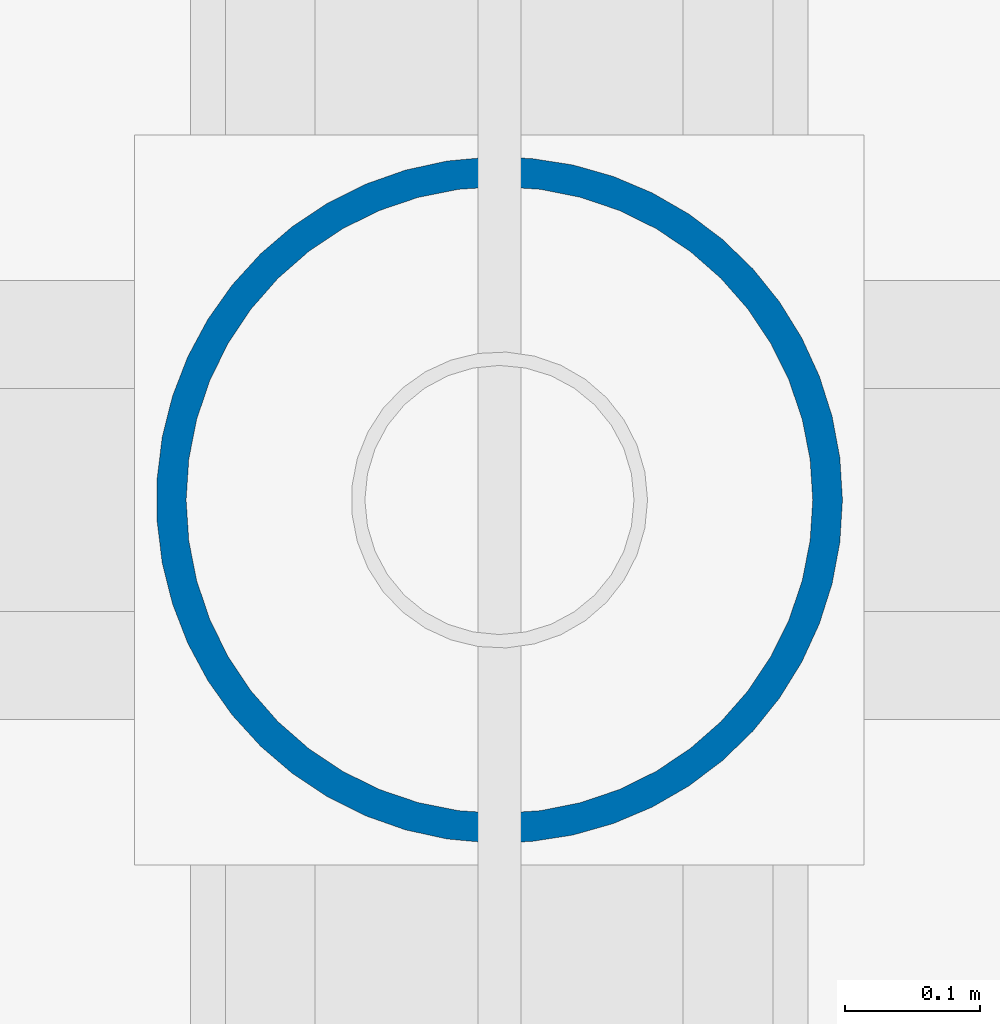
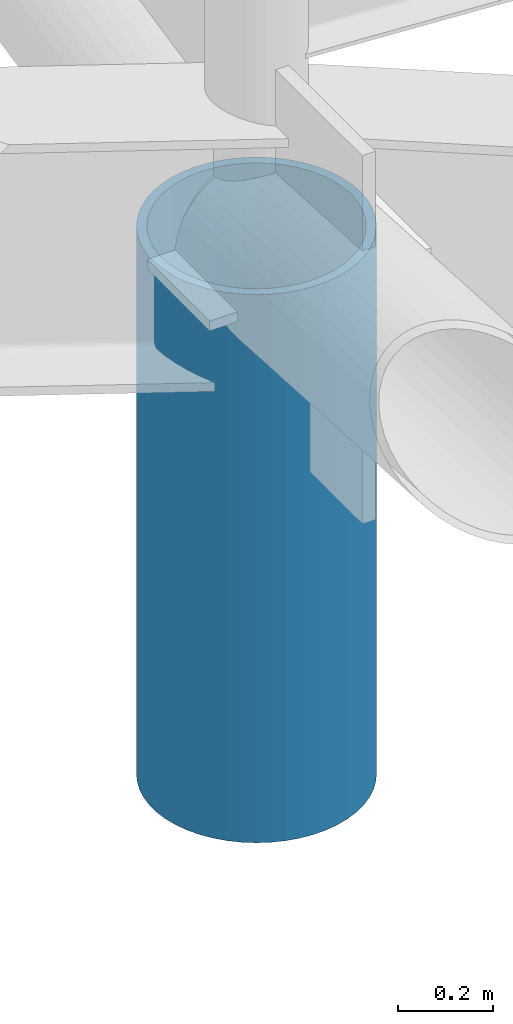
# One storey, part 5 of 146: 1 column.
"""IFC4 building model written with IfcOpenShell, lengths in metres."""

from ifc_helpers import new_model, si_unit, direction, frame, origin, origin_2d, place, context, subcontext, project, spatial, hollow_circle, extrude, material, material_profile, profile_set, type_object, element, save


model = new_model("IFC4")

# Units and contexts
model_context = context("Model", 3, precision=1e-05, world=origin(), true_north=direction((0.0, 1.0)))
body_context = subcontext(model_context, "Body", "Model", "MODEL_VIEW")
ifc_project = project(units=[si_unit("LENGTHUNIT", "METRE"), si_unit("AREAUNIT", "SQUARE_METRE"), si_unit("VOLUMEUNIT", "CUBIC_METRE"), si_unit("PLANEANGLEUNIT", "RADIAN"), si_unit("MASSUNIT", "GRAM", prefix="KILO")], contexts=[model_context])

# Site, building, storey
site_placement = place(None, origin())
site = spatial("IfcSite", under=ifc_project, at=site_placement, CompositionType="ELEMENT")
building_placement = place(site_placement, origin())
building = spatial("IfcBuilding", under=site, at=building_placement, Name="Candeia Ridge Stadium", CompositionType="ELEMENT")
storey_placement = place(building_placement, frame((0.0, 0.0, 31.800048828125)))
storey = spatial("IfcBuildingStorey", under=building, at=storey_placement, Name="RF", CompositionType="ELEMENT", Elevation=31.800048828125)

# Column
ifc_material = material(Name="Steel ASTM A572 Grade 50", Category="steel")
ifc_material_profile = material_profile(ifc_material, hollow_circle(Radius=0.25390625, WallThickness=0.02197265625, at=origin_2d()), Name="CHS508x22", Category="steel")
ifc_profile_set = profile_set([ifc_material_profile], Name="Steel ASTM A572 Grade 50")
column_type = type_object("IfcColumnType", Name="Roof Inner Mast CHS508x22", PredefinedType="PILASTER", material=ifc_profile_set)
column_placement = place(storey_placement, frame((131.0, 132.60009765625, 0.0), z_axis=(0.0, 0.0, 1.0), x_axis=(1.0, 0.0, 0.0)))
element("IfcColumn", 1, at=column_placement, inside=storey, type_object=column_type, Name="Roof truss steel mast column BC-MD-01 RF", PredefinedType="PILASTER", context=body_context, shape_type="SweptSolid", body=[
    extrude(hollow_circle(Radius=0.25390625, WallThickness=0.02197265625, at=origin_2d()), origin(), (0.0, 0.0, 1.0), 1.41455078125),
])

save(model, "model.ifc")
